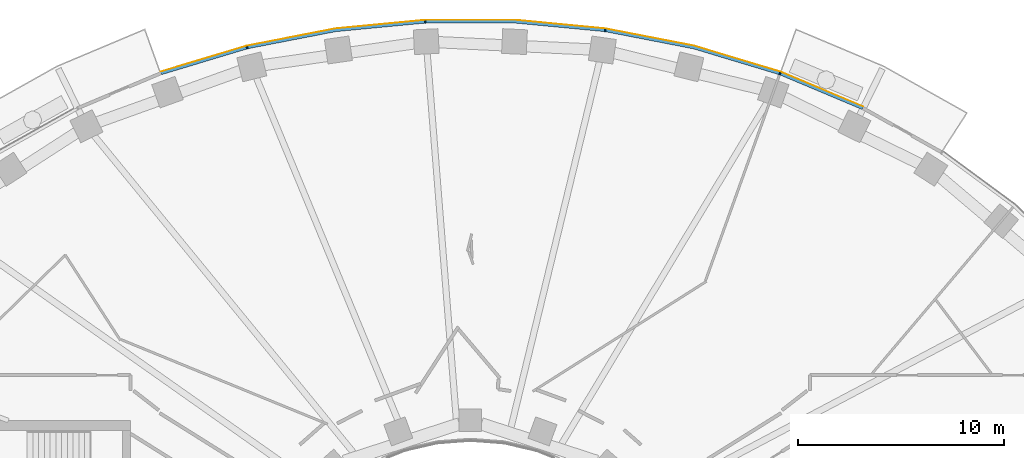
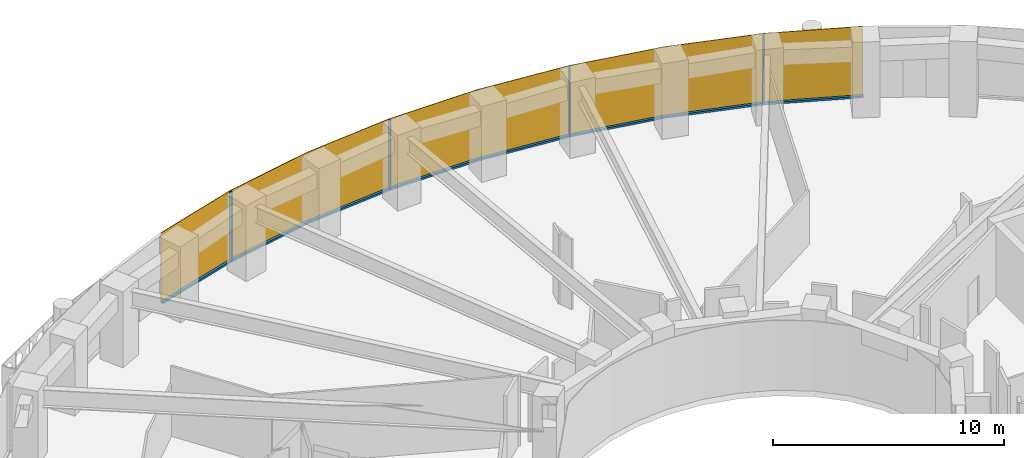
# One storey, part 12 of 15: 9 members, 1 curtain wall.
"""IFC4 building model written with IfcOpenShell, lengths in metres."""

import ifcopenshell
import ifcopenshell.guid

model = None  # the IFC model being written
_history = None  # IfcOwnerHistory: only IFC2X3 demands one
_inside = {}  # id of a spatial element -> (the spatial element, [elements in it])
_under = {}  # id of a project, library or spatial element -> (it, [spatial elements below it])
_declared = {}  # id of a project -> (the project, [libraries it declares])
_typed = {}  # id of a type object -> (the type object, [elements of that type])
_made_of = {}  # id of a material, layer set ... -> (it, [elements and type objects made of it])


def new_model(schema):
    """Start an empty IFC model of exactly this schema.

    Asked for "IFC4X3", IfcOpenShell would pick the latest addendum, in which some entities
    have other attributes; the version numbers below select the first issue.
    IFC2X3 requires an IfcOwnerHistory on every rooted entity: one is made here for all.
    """
    global model, _history
    if schema == "IFC4X3":
        model = ifcopenshell.file(schema_version=(4, 3, 0, 0))
    else:
        model = ifcopenshell.file(schema=schema)
    _inside.clear()
    _under.clear()
    _declared.clear()
    _typed.clear()
    _made_of.clear()
    _history = None
    if model.schema == "IFC2X3":
        org = make("IfcOrganization", Name="unknown")
        user = make(
            "IfcPersonAndOrganization",
            ThePerson=make("IfcPerson", FamilyName="unknown"),
            TheOrganization=org,
        )
        app = make(
            "IfcApplication",
            ApplicationDeveloper=org,
            Version="unknown",
            ApplicationFullName="unknown",
            ApplicationIdentifier="unknown",
        )
        _history = make(
            "IfcOwnerHistory",
            OwningUser=user,
            OwningApplication=app,
            ChangeAction="ADDED",
            CreationDate=0,
        )
    return model


def make(cls, **values):
    """One entity of the class cls with the attributes given. An attribute that is None is left unset."""
    return model.create_entity(
        cls, **{name: value for name, value in values.items() if value is not None}
    )


def rooted(cls, **values):
    """An entity with a GlobalId (a new one), such as an element, a storey or a relation."""
    return make(cls, GlobalId=ifcopenshell.guid.new(), OwnerHistory=_history, **values)


def si_unit(unit_type, name, prefix=None):
    """IfcSIUnit, for example si_unit("LENGTHUNIT", "METRE", prefix="MILLI")."""
    return make("IfcSIUnit", UnitType=unit_type, Prefix=prefix, Name=name)


def assignment(units):
    """IfcUnitAssignment: the units of a project."""
    return None if units is None else make("IfcUnitAssignment", Units=units)


def point(xyz):
    """IfcCartesianPoint."""
    return None if xyz is None else make("IfcCartesianPoint", Coordinates=xyz)


def direction(xyz):
    """IfcDirection."""
    return None if xyz is None else make("IfcDirection", DirectionRatios=xyz)


def frame(location, z_axis=None, x_axis=None):
    """IfcAxis2Placement3D, a coordinate frame: its origin and axes. An axis left out is left unset."""
    return make(
        "IfcAxis2Placement3D",
        Location=point(location),
        Axis=direction(z_axis),
        RefDirection=direction(x_axis),
    )


def frame_2d(location, x_axis=None):
    """IfcAxis2Placement2D, a coordinate frame in the plane: its origin and x axis."""
    return make(
        "IfcAxis2Placement2D", Location=point(location), RefDirection=direction(x_axis)
    )


def origin():
    """The frame at (0, 0, 0) with its axes left unset."""
    return frame((0.0, 0.0, 0.0))


def origin_2d():
    """The frame at (0, 0) in the plane with its x axis left unset."""
    return frame_2d((0.0, 0.0))


def place(relative_to, where):
    """IfcLocalPlacement: puts the frame where relative to a parent placement (None: the world)."""
    return make(
        "IfcLocalPlacement", PlacementRelTo=relative_to, RelativePlacement=where
    )


def context(
    kind, dimensions, precision=None, world=None, true_north=None, identifier=None
):
    """IfcGeometricRepresentationContext, for example the 3D "Model" context."""
    return make(
        "IfcGeometricRepresentationContext",
        ContextIdentifier=identifier,
        ContextType=kind,
        CoordinateSpaceDimension=dimensions,
        Precision=precision,
        WorldCoordinateSystem=world,
        TrueNorth=true_north,
    )


def subcontext(parent, identifier, kind, view, scale=None):
    """IfcGeometricRepresentationSubContext, for example "Body" below "Model"."""
    return make(
        "IfcGeometricRepresentationSubContext",
        ContextIdentifier=identifier,
        ContextType=kind,
        ParentContext=parent,
        TargetScale=scale,
        TargetView=view,
    )


def project(units=None, contexts=None):
    """IfcProject with its units and contexts."""
    return rooted(
        "IfcProject",
        Name="project",
        RepresentationContexts=contexts,
        UnitsInContext=assignment(units),
    )


def spatial(cls, under=None, at=None, **own):
    """A site, building, storey or space (cls), placed at a placement, below another one or the project."""
    s = rooted(cls, ObjectPlacement=at, **own)
    if under is not None:
        _under.setdefault(under.id(), (under, []))[1].append(s)
    return s


def polyline(points):
    """IfcPolyline through the points."""
    return make("IfcPolyline", Points=[point(p) for p in points])


def profile(cls, at=None, kind="AREA", **sizes):
    """A parametric profile (cls). Its sizes go by their IFC names, for example OverallWidth=200.0."""
    return make(cls, ProfileType=kind, Position=at, **sizes)


def rectangle(**sizes):
    """IfcRectangleProfileDef."""
    return profile("IfcRectangleProfileDef", **sizes)


def outline(outer, holes=None, kind="AREA"):
    """IfcArbitraryClosedProfileDef: a profile drawn as a closed curve; with holes, ...WithVoids."""
    if holes is None:
        return make("IfcArbitraryClosedProfileDef", ProfileType=kind, OuterCurve=outer)
    return make(
        "IfcArbitraryProfileDefWithVoids",
        ProfileType=kind,
        OuterCurve=outer,
        InnerCurves=holes,
    )


def extrude(swept, where, along, depth):
    """IfcExtrudedAreaSolid: the profile swept, set in the frame where, extruded along a direction by depth."""
    return make(
        "IfcExtrudedAreaSolid",
        SweptArea=swept,
        Position=where,
        ExtrudedDirection=direction(along),
        Depth=depth,
    )


def shape(context_of_items, identifier, shape_type, items):
    """IfcShapeRepresentation: the items that make up one representation, for example the "Body"."""
    return make(
        "IfcShapeRepresentation",
        ContextOfItems=context_of_items,
        RepresentationIdentifier=identifier,
        RepresentationType=shape_type,
        Items=items,
    )


def material(Name=None, Category=None):
    """IfcMaterial."""
    return make("IfcMaterial", Name=Name, Category=Category)


def layer(
    of_material, thickness, ventilated=None, Name=None, Category=None, Priority=None
):
    """IfcMaterialLayer: one layer of a wall or slab, of a material (None: an air gap)."""
    return make(
        "IfcMaterialLayer",
        Material=of_material,
        LayerThickness=thickness,
        IsVentilated=ventilated,
        Name=Name,
        Category=Category,
        Priority=Priority,
    )


def layer_set(layers, Name=None):
    """IfcMaterialLayerSet."""
    return make("IfcMaterialLayerSet", MaterialLayers=layers, LayerSetName=Name)


def material_profile(
    of_material, cross_section, Name=None, Category=None, Priority=None
):
    """IfcMaterialProfile: a cross section and its material."""
    return make(
        "IfcMaterialProfile",
        Name=Name,
        Material=of_material,
        Profile=cross_section,
        Priority=Priority,
        Category=Category,
    )


def profile_set(profiles, Name=None, composite=None):
    """IfcMaterialProfileSet."""
    return make(
        "IfcMaterialProfileSet",
        Name=Name,
        MaterialProfiles=profiles,
        CompositeProfile=composite,
    )


def made_of(thing, what):
    """Note that an element or type object is made of a material, layer set ...; save() writes the relation."""
    if what is not None:
        _made_of.setdefault(what.id(), (what, []))[1].append(thing)
    return thing


def type_object(cls, material=None, **own):
    """A type object (cls), such as IfcWallType, which elements share."""
    return made_of(rooted(cls, **own), material)


def element(
    cls,
    number,
    at=None,
    inside=None,
    cuts=None,
    type_object=None,
    material=None,
    context=None,
    identifier="Body",
    shape_type=None,
    held_by="IfcProductDefinitionShape",
    body=None,
    shapes=None,
    **own,
):
    """One element of the class cls, such as IfcWall. Its Tag is "e" and its number.

    at: its placement. inside: the storey or other place that contains it. cuts: it is an
    opening in that element (IfcRelVoidsElement). A single representation is given by context,
    identifier, shape_type and body (its items); several are given by shapes. held_by: the class
    of the entity that holds the representations. save() writes the other relations.
    """
    e = rooted(cls, Tag="e%d" % number, ObjectPlacement=at, **own)
    if body is not None:
        shapes = [shape(context, identifier, shape_type, body)]
    if shapes is not None:
        e.Representation = make(held_by, Representations=shapes)
    if inside is not None:
        _inside.setdefault(inside.id(), (inside, []))[1].append(e)
    if cuts is not None:
        rooted(
            "IfcRelVoidsElement", RelatingBuildingElement=cuts, RelatedOpeningElement=e
        )
    if type_object is not None:
        _typed.setdefault(type_object.id(), (type_object, []))[1].append(e)
    return made_of(e, material)


def aggregate(whole, parts):
    """IfcRelAggregates: a whole, such as a stair, and the parts it consists of."""
    return rooted("IfcRelAggregates", RelatingObject=whole, RelatedObjects=parts)


def save(model, path):
    """Write the relations noted so far, then the file.

    IfcRelAggregates (storeys below a building ...), IfcRelContainedInSpatialStructure (elements
    in a storey), IfcRelDefinesByType, IfcRelAssociatesMaterial and IfcRelDeclares: one each for
    every whole, place, type object, material and project.
    """
    for whole, parts in _under.values():
        aggregate(whole, parts)
    for where, things in _inside.values():
        rooted(
            "IfcRelContainedInSpatialStructure",
            RelatedElements=things,
            RelatingStructure=where,
        )
    for kind, things in _typed.values():
        rooted("IfcRelDefinesByType", RelatedObjects=things, RelatingType=kind)
    for what, things in _made_of.values():
        rooted("IfcRelAssociatesMaterial", RelatedObjects=things, RelatingMaterial=what)
    for by, libraries in _declared.values():
        rooted("IfcRelDeclares", RelatingContext=by, RelatedDefinitions=libraries)
    model.write(path)


model = new_model("IFC4")

# Units and contexts
model_context = context("Model", 3, precision=1e-05, world=origin(), true_north=direction((0.0, 1.0)))
body_context = subcontext(model_context, "Body", "Model", "MODEL_VIEW")
ifc_project = project(units=[si_unit("LENGTHUNIT", "METRE"), si_unit("AREAUNIT", "SQUARE_METRE"), si_unit("VOLUMEUNIT", "CUBIC_METRE"), si_unit("PLANEANGLEUNIT", "RADIAN"), si_unit("MASSUNIT", "GRAM", prefix="KILO")], contexts=[model_context])

# Member
ifc_material_1 = material(Name="Aluminium 6063-T6 black anodised", Category="aluminium")
ifc_material_profile = material_profile(ifc_material_1, rectangle(XDim=0.1201171875, YDim=0.06005859375, at=origin_2d()), Name="120x60")
ifc_profile_set = profile_set([ifc_material_profile], Name="Aluminium 6063-T6 black anodised")
member_type_1 = type_object("IfcMemberType", Name="ENV-MULLION-A-120", PredefinedType="MULLION", material=ifc_profile_set)
site_placement = place(None, origin())
building_placement = place(site_placement, origin())
storey_placement = place(building_placement, frame((0.0, 0.0, 158.0)))
member_1_placement = place(storey_placement, frame((15.0341796875, 25.34375, 0.0), z_axis=(0.0, 0.0, 1.0), x_axis=(-0.338379256581, -0.941009818608, 0.0)))
member_1 = element("IfcMember", 1, at=member_1_placement, type_object=member_type_1, Name="Mullion A radial 09", PredefinedType="MULLION", context=body_context, shape_type="SweptSolid", body=[
    extrude(rectangle(XDim=0.1201171875, YDim=0.06005859375, at=origin_2d()), origin(), (0.0, 0.0, 1.0), 3.699951171875),
])

member_2_placement = place(storey_placement, frame((6.54638671875, 27.440185546875, 0.0), z_axis=(0.0, 0.0, 1.0), x_axis=(-0.143082012705, -0.989710835366, 0.0)))
member_2 = element("IfcMember", 2, at=member_2_placement, type_object=member_type_1, Name="Mullion A radial 11", PredefinedType="MULLION", context=body_context, shape_type="SweptSolid", body=[
    extrude(rectangle(XDim=0.1201171875, YDim=0.06005859375, at=origin_2d()), origin(), (0.0, 0.0, 1.0), 3.699951171875),
])

member_3_placement = place(storey_placement, frame((-2.188720703125, 27.856201171875, 0.0), z_axis=(0.0, 0.0, 1.0), x_axis=(0.047557873581, -0.998868484166, 0.0)))
member_3 = element("IfcMember", 3, at=member_3_placement, type_object=member_type_1, Name="Mullion A radial 13", PredefinedType="MULLION", context=body_context, shape_type="SweptSolid", body=[
    extrude(rectangle(XDim=0.1201171875, YDim=0.06005859375, at=origin_2d()), origin(), (0.0, 0.0, 1.0), 3.699951171875),
])

member_4_placement = place(storey_placement, frame((-10.84326171875, 26.60498046875, 0.0), z_axis=(0.0, 0.0, 1.0), x_axis=(0.239799081534, -0.970822538106, 0.0)))
member_4 = element("IfcMember", 4, at=member_4_placement, type_object=member_type_1, Name="Mullion A radial 15", PredefinedType="MULLION", context=body_context, shape_type="SweptSolid", body=[
    extrude(rectangle(XDim=0.1201171875, YDim=0.06005859375, at=origin_2d()), origin(), (0.0, 0.0, 1.0), 3.699951171875),
])

ifc_material_2 = material(Name="Aluminium 6063-T6 black anodised", Category="aluminium")
member_type_2 = type_object("IfcMemberType", Name="ENV-TRANSOM-A", PredefinedType="USERDEFINED", material=ifc_material_2)
member_5_placement = place(storey_placement, origin())
member_5 = element("IfcMember", 5, at=member_5_placement, type_object=member_type_2, Name="Transom A radial 08-09", ObjectType="TRANSOM", PredefinedType="USERDEFINED", context=body_context, shape_type="SweptSolid", body=[
    extrude(outline(polyline([(19.07568359375, 23.709228515625), (15.080322265625, 25.389404296875), (15.03955078125, 25.276123046875), (19.02294921875, 23.601318359375), (19.07568359375, 23.709228515625)])), origin(), (0.0, 0.0, 1.0), 0.10009765625),
])

member_6_placement = place(storey_placement, origin())
member_6 = element("IfcMember", 6, at=member_6_placement, type_object=member_type_2, Name="Transom A radial 09-11", ObjectType="TRANSOM", PredefinedType="USERDEFINED", context=body_context, shape_type="SweptSolid", body=[
    extrude(outline(polyline([(15.027587890625, 25.408203125), (10.857666015625, 26.6630859375), (6.58251953125, 27.494140625), (6.5654296875, 27.375244140625), (10.828857421875, 26.54638671875), (14.987060546875, 25.295166015625), (15.027587890625, 25.408203125)])), origin(), (0.0, 0.0, 1.0), 0.10009765625),
])

member_7_placement = place(storey_placement, origin())
member_7 = element("IfcMember", 7, at=member_7_placement, type_object=member_type_2, Name="Transom A radial 11-13", ObjectType="TRANSOM", PredefinedType="USERDEFINED", context=body_context, shape_type="SweptSolid", body=[
    extrude(outline(polyline([(6.527099609375, 27.502197265625), (2.191650390625, 27.916015625), (-2.163818359375, 27.916015625), (-2.157958984375, 27.7958984375), (2.185791015625, 27.7958984375), (6.510009765625, 27.38330078125), (6.527099609375, 27.502197265625)])), origin(), (0.0, 0.0, 1.0), 0.10009765625),
])

member_8_placement = place(storey_placement, origin())
member_8 = element("IfcMember", 8, at=member_8_placement, type_object=member_type_2, Name="Transom A radial 13-15", ObjectType="TRANSOM", PredefinedType="USERDEFINED", context=body_context, shape_type="SweptSolid", body=[
    extrude(outline(polyline([(-2.219482421875, 27.913330078125), (-6.55517578125, 27.49951171875), (-10.830078125, 26.66845703125), (-10.80126953125, 26.552001953125), (-6.537841796875, 27.380615234375), (-2.2138671875, 27.793212890625), (-2.219482421875, 27.913330078125)])), origin(), (0.0, 0.0, 1.0), 0.10009765625),
])

member_9_placement = place(storey_placement, origin())
member_9 = element("IfcMember", 9, at=member_9_placement, type_object=member_type_2, Name="Transom A radial 15-16", ObjectType="TRANSOM", PredefinedType="USERDEFINED", context=body_context, shape_type="SweptSolid", body=[
    extrude(outline(polyline([(-10.884521484375, 26.655029296875), (-15.035400390625, 25.406005859375), (-14.99462890625, 25.292724609375), (-10.855712890625, 26.53857421875), (-10.884521484375, 26.655029296875)])), origin(), (0.0, 0.0, 1.0), 0.10009765625),
])

# Site, building, storey
site = spatial("IfcSite", under=ifc_project, at=site_placement, CompositionType="ELEMENT")
building = spatial("IfcBuilding", under=site, at=building_placement, Name="Noorbagh Ring Tower", CompositionType="ELEMENT")
storey = spatial("IfcBuildingStorey", under=building, at=storey_placement, Name="L36", CompositionType="ELEMENT", Elevation=158.0)

# Curtain wall
ifc_material_3 = material(Name="Glass dark tinted laminated", Category="glass")
ifc_layer = layer(ifc_material_3, 0.031982421875)
ifc_layer_set = layer_set([ifc_layer], Name="Glass dark tinted laminated")
curtain_wall_type = type_object("IfcCurtainWallType", Name="ENV-CW-A", PredefinedType="NOTDEFINED", material=ifc_layer_set)
curtain_wall_placement = place(storey_placement, origin())
curtain_wall = element("IfcCurtainWall", 10, at=curtain_wall_placement, inside=storey, type_object=curtain_wall_type, Name="Curtain wall A R08", PredefinedType="NOTDEFINED", context=body_context, shape_type="SweptSolid", body=[
    extrude(outline(polyline([(19.08984375, 23.738037109375), (15.065185546875, 25.430419921875), (10.865234375, 26.6943359375), (6.559814453125, 27.53125), (2.193115234375, 27.947998046875), (-2.193115234375, 27.947998046875), (-6.559814453125, 27.53125), (-10.865234375, 26.6943359375), (-15.046142578125, 25.43603515625), (-15.035400390625, 25.406005859375), (-10.857666015625, 26.6630859375), (-6.55517578125, 27.49951171875), (-2.191650390625, 27.916015625), (2.191650390625, 27.916015625), (6.55517578125, 27.49951171875), (10.857666015625, 26.6630859375), (15.054443359375, 25.400146484375), (19.07568359375, 23.709228515625), (19.08984375, 23.738037109375)])), origin(), (0.0, 0.0, 1.0), 3.699951171875),
])

aggregate(curtain_wall, [member_1, member_2, member_3, member_4, member_5, member_6, member_7, member_8, member_9])

save(model, "model.ifc")
